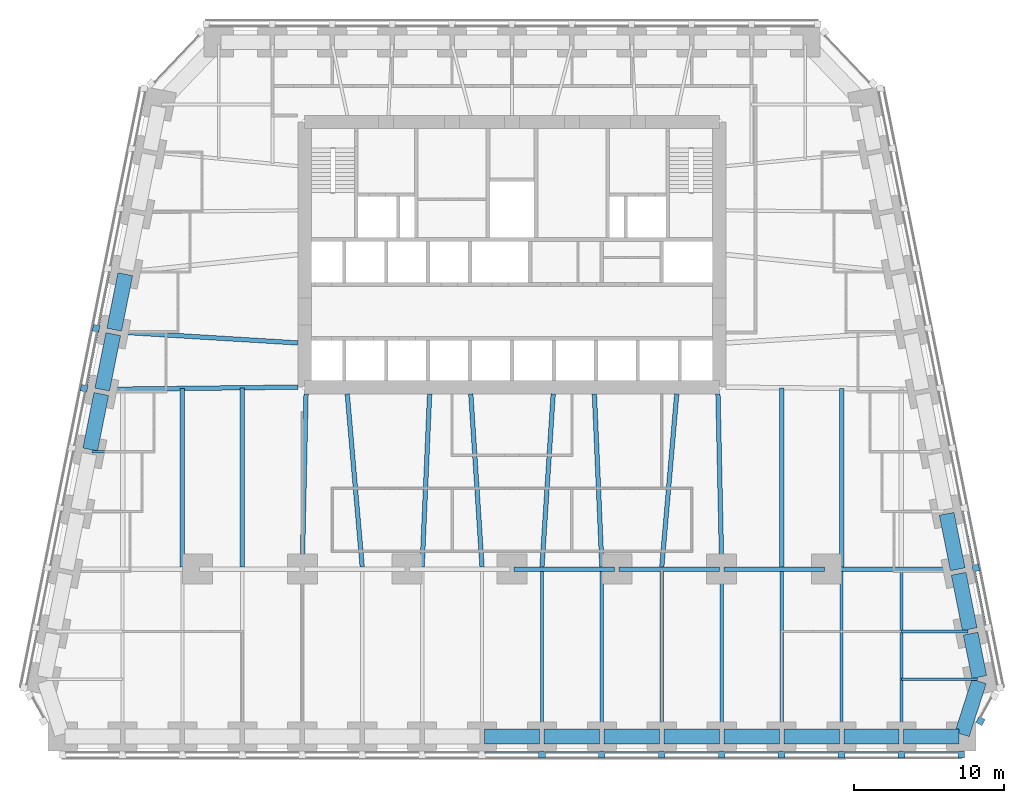
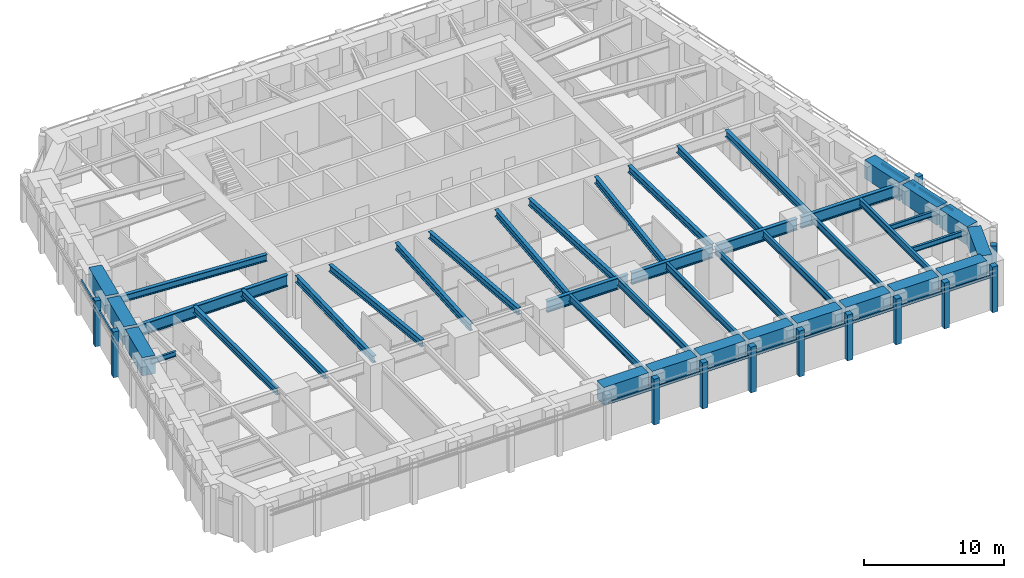
# One storey, part 2 of 10: 43 beams, 24 members, 4 elements without a shape of their own.
"""IFC4 building model written with IfcOpenShell, lengths in metres."""

from ifc_helpers import new_model, si_unit, direction, frame, origin, origin_2d, place, context, subcontext, project, spatial, rectangle, i_section, extrude, material, material_profile, profile_set, type_object, element, aggregate, save


model = new_model("IFC4")

# Units and contexts
model_context = context("Model", 3, precision=1e-05, world=origin(), true_north=direction((0.0, 1.0)))
body_context = subcontext(model_context, "Body", "Model", "MODEL_VIEW")
ifc_project = project(units=[si_unit("LENGTHUNIT", "METRE"), si_unit("AREAUNIT", "SQUARE_METRE"), si_unit("VOLUMEUNIT", "CUBIC_METRE"), si_unit("PLANEANGLEUNIT", "RADIAN"), si_unit("MASSUNIT", "GRAM", prefix="KILO")], contexts=[model_context])

# Site, building, storey
site_placement = place(None, origin())
site = spatial("IfcSite", under=ifc_project, at=site_placement, CompositionType="ELEMENT")
building_placement = place(site_placement, origin())
building = spatial("IfcBuilding", under=site, at=building_placement, Name="Isbrekke Arena Tower", CompositionType="ELEMENT")
storey_placement = place(building_placement, frame((0.0, 0.0, 84.0)))
storey = spatial("IfcBuildingStorey", under=building, at=storey_placement, Name="L18", CompositionType="ELEMENT", Elevation=84.0)

# Beams
ifc_material_1 = material(Name="Steel S355", Category="steel")
ifc_material_profile_1 = material_profile(ifc_material_1, i_section(OverallWidth=0.219970703125, OverallDepth=0.60009765625, WebThickness=0.011962890625, FlangeThickness=0.01904296875, FilletRadius=0.02392578125, at=origin_2d()), Name="IPE 600")
ifc_profile_set_1 = profile_set([ifc_material_profile_1], Name="Steel S355")
beam_type_1 = type_object("IfcBeamType", Name="B1 IPE 600", PredefinedType="BEAM", material=ifc_profile_set_1)
for number, where, z_axis, x_axis, name in (
    (1, (2.0, -17.02490234375, 3.550048828125), (0.0, 1.0, 0.0), (-1.0, 0.0, 0.0), "B1 beam S-S09 L18"),
    (2, (6.0, -17.02490234375, 3.550048828125), (0.0, 1.0, 0.0), (-1.0, 0.0, 0.0), "B1 beam S-S10 L18"),
    (3, (10.0, -17.02490234375, 3.550048828125), (0.0, 1.0, 0.0), (-1.0, 0.0, 0.0), "B1 beam S-S11 L18"),
):
    element("IfcBeam", number, at=place(storey_placement, frame(where, z_axis=z_axis, x_axis=x_axis)), inside=storey, type_object=beam_type_1, Name=name, PredefinedType="BEAM", context=body_context, shape_type="SweptSolid", body=[
        extrude(i_section(OverallWidth=0.219970703125, OverallDepth=0.60009765625, WebThickness=0.011962890625, FlangeThickness=0.01904296875, FilletRadius=0.02392578125, at=origin_2d()), origin(), (0.0, 0.0, 1.0), 10.8740234375),
    ])
beam_1_placement = place(storey_placement, frame((14.0, -17.02490234375, 3.550048828125), z_axis=(0.0, 1.0, 0.0), x_axis=(-1.0, 0.0, 0.0)))
element("IfcBeam", 4, at=beam_1_placement, inside=storey, type_object=beam_type_1, Name="B1 beam S-S12 L18", PredefinedType="BEAM", context=body_context, shape_type="SweptSolid", body=[
    extrude(i_section(OverallWidth=0.219970703125, OverallDepth=0.60009765625, WebThickness=0.011962890625, FlangeThickness=0.01904296875, FilletRadius=0.02392578125, at=origin_2d()), origin(), (0.0, 0.0, 1.0), 10.875),
])
for number, where, z_axis, x_axis, name in (
    (5, (18.0, -17.02490234375, 3.550048828125), (0.0, 1.0, 0.0), (-1.0, 0.0, 0.0), "B1 beam S-S13 L18"),
    (6, (22.0, -17.02490234375, 3.550048828125), (0.0, 1.0, 0.0), (-1.0, 0.0, 0.0), "B1 beam S-S14 L18"),
    (7, (26.0, -17.02490234375, 3.550048828125), (0.0, 1.0, 0.0), (-1.0, 0.0, 0.0), "B1 beam S-S15 L18"),
):
    element("IfcBeam", number, at=place(storey_placement, frame(where, z_axis=z_axis, x_axis=x_axis)), inside=storey, type_object=beam_type_1, Name=name, PredefinedType="BEAM", context=body_context, shape_type="SweptSolid", body=[
        extrude(i_section(OverallWidth=0.219970703125, OverallDepth=0.60009765625, WebThickness=0.011962890625, FlangeThickness=0.01904296875, FilletRadius=0.02392578125, at=origin_2d()), origin(), (0.0, 0.0, 1.0), 10.8740234375),
    ])
ifc_material_2 = material(Name="Steel S355", Category="steel")
ifc_material_profile_2 = material_profile(ifc_material_2, i_section(OverallWidth=0.18994140625, OverallDepth=0.449951171875, WebThickness=0.009521484375, FlangeThickness=0.0146484375, FilletRadius=0.02099609375, at=origin_2d()), Name="IPE 450")
ifc_profile_set_2 = profile_set([ifc_material_profile_2], Name="Steel S355")
beam_type_2 = type_object("IfcBeamType", Name="B2 IPE 450", PredefinedType="BEAM", material=ifc_profile_set_2)
beam_2_placement = place(storey_placement, frame((31.079345703125, -13.352783203125, 3.625), z_axis=(-1.0, 0.0, 0.0), x_axis=(0.0, -1.0, 0.0)))
element("IfcBeam", 8, at=beam_2_placement, inside=storey, type_object=beam_type_2, Name="B2 beam E-E01 L18", PredefinedType="BEAM", context=body_context, shape_type="SweptSolid", body=[
    extrude(i_section(OverallWidth=0.18994140625, OverallDepth=0.449951171875, WebThickness=0.009521484375, FlangeThickness=0.0146484375, FilletRadius=0.02099609375, at=origin_2d()), origin(), (0.0, 0.0, 1.0), 5.079345703125),
])
beam_3_placement = place(storey_placement, frame((30.44091796875, -10.161865234375, 3.625), z_axis=(-1.0, 0.0, 0.0), x_axis=(0.0, -1.0, 0.0)))
element("IfcBeam", 9, at=beam_3_placement, inside=storey, type_object=beam_type_2, Name="B2 beam E-E02 L18", PredefinedType="BEAM", context=body_context, shape_type="SweptSolid", body=[
    extrude(i_section(OverallWidth=0.18994140625, OverallDepth=0.449951171875, WebThickness=0.009521484375, FlangeThickness=0.0146484375, FilletRadius=0.02099609375, at=origin_2d()), origin(), (0.0, 0.0, 1.0), 4.44091796875),
])
beam_4_placement = place(storey_placement, frame((-28.041015625, 1.838134765625, 3.625), z_axis=(1.0, 0.0, 0.0), x_axis=(0.0, 1.0, 0.0)))
element("IfcBeam", 10, at=beam_4_placement, inside=storey, type_object=beam_type_2, Name="B2 beam E-W07 L18", PredefinedType="BEAM", context=body_context, shape_type="SweptSolid", body=[
    extrude(i_section(OverallWidth=0.18994140625, OverallDepth=0.449951171875, WebThickness=0.009521484375, FlangeThickness=0.0146484375, FilletRadius=0.02099609375, at=origin_2d()), origin(), (0.0, 0.0, 1.0), 2.041015625),
])
ifc_material_3 = material(Name="Steel S355", Category="steel")
ifc_material_profile_3 = material_profile(ifc_material_3, i_section(OverallWidth=0.300048828125, OverallDepth=0.60009765625, WebThickness=0.015380859375, FlangeThickness=0.030029296875, FilletRadius=0.027099609375, at=origin_2d()), Name="HEB 600")
ifc_profile_set_3 = profile_set([ifc_material_profile_3], Name="Steel S355")
beam_type_3 = type_object("IfcBeamType", Name="B7 HEB 600", PredefinedType="BEAM", material=ifc_profile_set_3)
beam_5_placement = place(storey_placement, frame((-22.0, -5.84912109375, 3.550048828125), z_axis=(0.0, 1.0, 0.0), x_axis=(-1.0, 0.0, 0.0)))
element("IfcBeam", 11, at=beam_5_placement, inside=storey, type_object=beam_type_3, Name="B7 beam C-M02 L18", PredefinedType="BEAM", context=body_context, shape_type="SweptSolid", body=[
    extrude(i_section(OverallWidth=0.300048828125, OverallDepth=0.60009765625, WebThickness=0.015380859375, FlangeThickness=0.030029296875, FilletRadius=0.027099609375, at=origin_2d()), origin(), (0.0, 0.0, 1.0), 11.910888671875),
])
beam_6_placement = place(storey_placement, frame((-18.0, -5.84912109375, 3.550048828125), z_axis=(0.0, 1.0, 0.0), x_axis=(-1.0, 0.0, 0.0)))
element("IfcBeam", 12, at=beam_6_placement, inside=storey, type_object=beam_type_3, Name="B7 beam C-M03 L18", PredefinedType="BEAM", context=body_context, shape_type="SweptSolid", body=[
    extrude(i_section(OverallWidth=0.300048828125, OverallDepth=0.60009765625, WebThickness=0.015380859375, FlangeThickness=0.030029296875, FilletRadius=0.027099609375, at=origin_2d()), origin(), (0.0, 0.0, 1.0), 11.956787109375),
])
beam_7_placement = place(storey_placement, frame((-14.0, -5.8466796875, 3.550048828125), z_axis=(0.021646264273, 0.999765692171, 0.0), x_axis=(-0.999765692171, 0.021646264273, 0.0)))
element("IfcBeam", 13, at=beam_7_placement, inside=storey, type_object=beam_type_3, Name="B7 beam C-M04 L18", PredefinedType="BEAM", context=body_context, shape_type="SweptSolid", body=[
    extrude(i_section(OverallWidth=0.300048828125, OverallDepth=0.60009765625, WebThickness=0.015380859375, FlangeThickness=0.030029296875, FilletRadius=0.027099609375, at=origin_2d()), origin(), (0.0, 0.0, 1.0), 11.54931640625),
])
beam_8_placement = place(storey_placement, frame((-10.001220703125, -5.836181640625, 3.550048828125), z_axis=(-0.086255671377, 0.996273034442, 0.0), x_axis=(-0.996273034442, -0.086255671377, 0.0)))
element("IfcBeam", 14, at=beam_8_placement, inside=storey, type_object=beam_type_3, Name="B7 beam C-M05 L18", PredefinedType="BEAM", context=body_context, shape_type="SweptSolid", body=[
    extrude(i_section(OverallWidth=0.300048828125, OverallDepth=0.60009765625, WebThickness=0.015380859375, FlangeThickness=0.030029296875, FilletRadius=0.027099609375, at=origin_2d()), origin(), (0.0, 0.0, 1.0), 11.579345703125),
])
beam_9_placement = place(storey_placement, frame((-5.999755859375, -5.842529296875, 3.550048828125), z_axis=(0.04325656756, 0.99906399663, 0.0), x_axis=(-0.99906399663, 0.04325656756, 0.0)))
element("IfcBeam", 15, at=beam_9_placement, inside=storey, type_object=beam_type_3, Name="B7 beam C-M06 L18", PredefinedType="BEAM", context=body_context, shape_type="SweptSolid", body=[
    extrude(i_section(OverallWidth=0.300048828125, OverallDepth=0.60009765625, WebThickness=0.015380859375, FlangeThickness=0.030029296875, FilletRadius=0.027099609375, at=origin_2d()), origin(), (0.0, 0.0, 1.0), 11.55322265625),
])
for number, where, z_axis, x_axis, name in (
    (16, (-2.000732421875, -5.83935546875, 3.550048828125), (-0.064795318476, 0.997898575359, 0.0), (-0.997898575359, -0.064795318476, 0.0), "B7 beam C-M07 L18"),
    (17, (2.000732421875, -5.83935546875, 3.550048828125), (0.064795318476, 0.997898575359, 0.0), (-0.997898575359, 0.064795318476, 0.0), "B7 beam C-M08 L18"),
):
    element("IfcBeam", number, at=place(storey_placement, frame(where, z_axis=z_axis, x_axis=x_axis)), inside=storey, type_object=beam_type_3, Name=name, PredefinedType="BEAM", context=body_context, shape_type="SweptSolid", body=[
        extrude(i_section(OverallWidth=0.300048828125, OverallDepth=0.60009765625, WebThickness=0.015380859375, FlangeThickness=0.030029296875, FilletRadius=0.027099609375, at=origin_2d()), origin(), (0.0, 0.0, 1.0), 11.563720703125),
    ])
beam_10_placement = place(storey_placement, frame((5.999755859375, -5.842529296875, 3.550048828125), z_axis=(-0.04325656756, 0.99906399663, 0.0), x_axis=(-0.99906399663, -0.04325656756, 0.0)))
element("IfcBeam", 18, at=beam_10_placement, inside=storey, type_object=beam_type_3, Name="B7 beam C-M09 L18", PredefinedType="BEAM", context=body_context, shape_type="SweptSolid", body=[
    extrude(i_section(OverallWidth=0.300048828125, OverallDepth=0.60009765625, WebThickness=0.015380859375, FlangeThickness=0.030029296875, FilletRadius=0.027099609375, at=origin_2d()), origin(), (0.0, 0.0, 1.0), 11.55322265625),
])
beam_11_placement = place(storey_placement, frame((10.001220703125, -5.836181640625, 3.550048828125), z_axis=(0.086255671377, 0.996273034442, 0.0), x_axis=(-0.996273034442, 0.086255671377, 0.0)))
element("IfcBeam", 19, at=beam_11_placement, inside=storey, type_object=beam_type_3, Name="B7 beam C-M10 L18", PredefinedType="BEAM", context=body_context, shape_type="SweptSolid", body=[
    extrude(i_section(OverallWidth=0.300048828125, OverallDepth=0.60009765625, WebThickness=0.015380859375, FlangeThickness=0.030029296875, FilletRadius=0.027099609375, at=origin_2d()), origin(), (0.0, 0.0, 1.0), 11.579345703125),
])
beam_12_placement = place(storey_placement, frame((14.0, -5.8466796875, 3.550048828125), z_axis=(-0.021646264273, 0.999765692171, 0.0), x_axis=(-0.999765692171, -0.021646264273, 0.0)))
element("IfcBeam", 20, at=beam_12_placement, inside=storey, type_object=beam_type_3, Name="B7 beam C-M11 L18", PredefinedType="BEAM", context=body_context, shape_type="SweptSolid", body=[
    extrude(i_section(OverallWidth=0.300048828125, OverallDepth=0.60009765625, WebThickness=0.015380859375, FlangeThickness=0.030029296875, FilletRadius=0.027099609375, at=origin_2d()), origin(), (0.0, 0.0, 1.0), 11.54931640625),
])
beam_13_placement = place(storey_placement, frame((18.0, -5.84912109375, 3.550048828125), z_axis=(0.0, 1.0, 0.0), x_axis=(-1.0, 0.0, 0.0)))
element("IfcBeam", 21, at=beam_13_placement, inside=storey, type_object=beam_type_3, Name="B7 beam C-M12 L18", PredefinedType="BEAM", context=body_context, shape_type="SweptSolid", body=[
    extrude(i_section(OverallWidth=0.300048828125, OverallDepth=0.60009765625, WebThickness=0.015380859375, FlangeThickness=0.030029296875, FilletRadius=0.027099609375, at=origin_2d()), origin(), (0.0, 0.0, 1.0), 11.956787109375),
])
beam_14_placement = place(storey_placement, frame((22.0, -5.84912109375, 3.550048828125), z_axis=(0.0, 1.0, 0.0), x_axis=(-1.0, 0.0, 0.0)))
element("IfcBeam", 22, at=beam_14_placement, inside=storey, type_object=beam_type_3, Name="B7 beam C-M13 L18", PredefinedType="BEAM", context=body_context, shape_type="SweptSolid", body=[
    extrude(i_section(OverallWidth=0.300048828125, OverallDepth=0.60009765625, WebThickness=0.015380859375, FlangeThickness=0.030029296875, FilletRadius=0.027099609375, at=origin_2d()), origin(), (0.0, 0.0, 1.0), 11.910888671875),
])
beam_15_placement = place(storey_placement, frame((-26.431884765625, 9.837646484375, 3.550048828125), z_axis=(0.998157121592, -0.060682457223, 0.0), x_axis=(0.060682457223, 0.998157121592, 0.0)))
element("IfcBeam", 23, at=beam_15_placement, inside=storey, type_object=beam_type_3, Name="B7 beam E-W05 L18", PredefinedType="BEAM", context=body_context, shape_type="SweptSolid", body=[
    extrude(i_section(OverallWidth=0.300048828125, OverallDepth=0.60009765625, WebThickness=0.015380859375, FlangeThickness=0.030029296875, FilletRadius=0.027099609375, at=origin_2d()), origin(), (0.0, 0.0, 1.0), 12.154296875),
])

# Curtain wall, members
ifc_material_4 = material(Name="Glazed aluminium curtain wall", Category="aluminium")
curtain_wall_type = type_object("IfcCurtainWallType", Name="CWL TOWER CURTAIN WALL LOW ZONE", PredefinedType="USERDEFINED", material=ifc_material_4)
curtain_wall_1_placement = place(storey_placement, origin())
curtain_wall_1 = element("IfcCurtainWall", 24, at=curtain_wall_1_placement, inside=storey, type_object=curtain_wall_type, Name="CWL curtain wall L18-S", ObjectType="TOWER CURTAIN WALL LOW ZONE", PredefinedType="USERDEFINED")
ifc_material_5 = material(Name="Aluminium mullion, pale brick slip cladding", Category="masonry")
ifc_material_profile_4 = material_profile(ifc_material_5, rectangle(XDim=0.449951171875, YDim=0.449951171875, at=origin_2d()), Name="PIER 450X450")
ifc_profile_set_4 = profile_set([ifc_material_profile_4], Name="Aluminium mullion, pale brick slip cladding")
member_type_1 = type_object("IfcMemberType", Name="CWL-M PIER MULLION 450 x 450", PredefinedType="MULLION", material=ifc_profile_set_4)
member_1_placement = place(storey_placement, frame((2.0, -18.375, 0.0), z_axis=(0.0, 0.0, 1.0), x_axis=(1.0, 0.0, 0.0)))
member_1 = element("IfcMember", 25, at=member_1_placement, type_object=member_type_1, Name="CWL-M mullion 9", PredefinedType="MULLION", context=body_context, shape_type="SweptSolid", body=[
    extrude(rectangle(XDim=0.449951171875, YDim=0.449951171875, at=origin_2d()), origin(), (0.0, 0.0, 1.0), 4.0),
])
member_2_placement = place(storey_placement, frame((6.0, -18.375, 0.0), z_axis=(0.0, 0.0, 1.0), x_axis=(1.0, 0.0, 0.0)))
member_2 = element("IfcMember", 26, at=member_2_placement, type_object=member_type_1, Name="CWL-M mullion 10", PredefinedType="MULLION", context=body_context, shape_type="SweptSolid", body=[
    extrude(rectangle(XDim=0.449951171875, YDim=0.449951171875, at=origin_2d()), origin(), (0.0, 0.0, 1.0), 4.0),
])
member_3_placement = place(storey_placement, frame((10.0, -18.375, 0.0), z_axis=(0.0, 0.0, 1.0), x_axis=(1.0, 0.0, 0.0)))
member_3 = element("IfcMember", 27, at=member_3_placement, type_object=member_type_1, Name="CWL-M mullion 11", PredefinedType="MULLION", context=body_context, shape_type="SweptSolid", body=[
    extrude(rectangle(XDim=0.449951171875, YDim=0.449951171875, at=origin_2d()), origin(), (0.0, 0.0, 1.0), 4.0),
])
member_4_placement = place(storey_placement, frame((14.0, -18.375, 0.0), z_axis=(0.0, 0.0, 1.0), x_axis=(1.0, 0.0, 0.0)))
member_4 = element("IfcMember", 28, at=member_4_placement, type_object=member_type_1, Name="CWL-M mullion 12", PredefinedType="MULLION", context=body_context, shape_type="SweptSolid", body=[
    extrude(rectangle(XDim=0.449951171875, YDim=0.449951171875, at=origin_2d()), origin(), (0.0, 0.0, 1.0), 4.0),
])
member_5_placement = place(storey_placement, frame((18.0, -18.375, 0.0), z_axis=(0.0, 0.0, 1.0), x_axis=(1.0, 0.0, 0.0)))
member_5 = element("IfcMember", 29, at=member_5_placement, type_object=member_type_1, Name="CWL-M mullion 13", PredefinedType="MULLION", context=body_context, shape_type="SweptSolid", body=[
    extrude(rectangle(XDim=0.449951171875, YDim=0.449951171875, at=origin_2d()), origin(), (0.0, 0.0, 1.0), 4.0),
])
member_6_placement = place(storey_placement, frame((22.0, -18.375, 0.0), z_axis=(0.0, 0.0, 1.0), x_axis=(1.0, 0.0, 0.0)))
member_6 = element("IfcMember", 30, at=member_6_placement, type_object=member_type_1, Name="CWL-M mullion 14", PredefinedType="MULLION", context=body_context, shape_type="SweptSolid", body=[
    extrude(rectangle(XDim=0.449951171875, YDim=0.449951171875, at=origin_2d()), origin(), (0.0, 0.0, 1.0), 4.0),
])
member_7_placement = place(storey_placement, frame((26.0, -18.375, 0.0), z_axis=(0.0, 0.0, 1.0), x_axis=(1.0, 0.0, 0.0)))
member_7 = element("IfcMember", 31, at=member_7_placement, type_object=member_type_1, Name="CWL-M mullion 15", PredefinedType="MULLION", context=body_context, shape_type="SweptSolid", body=[
    extrude(rectangle(XDim=0.449951171875, YDim=0.449951171875, at=origin_2d()), origin(), (0.0, 0.0, 1.0), 4.0),
])
member_8_placement = place(storey_placement, frame((30.0, -18.375, 0.0), z_axis=(0.0, 0.0, 1.0), x_axis=(1.0, 0.0, 0.0)))
member_8 = element("IfcMember", 32, at=member_8_placement, type_object=member_type_1, Name="CWL-M mullion 16", PredefinedType="MULLION", context=body_context, shape_type="SweptSolid", body=[
    extrude(rectangle(XDim=0.449951171875, YDim=0.449951171875, at=origin_2d()), origin(), (0.0, 0.0, 1.0), 4.0),
])

# Curtain wall, member
curtain_wall_2_placement = place(storey_placement, origin())
curtain_wall_2 = element("IfcCurtainWall", 33, at=curtain_wall_2_placement, inside=storey, type_object=curtain_wall_type, Name="CWL curtain wall L18-SE", ObjectType="TOWER CURTAIN WALL LOW ZONE", PredefinedType="USERDEFINED")
member_9_placement = place(storey_placement, frame((31.2783203125, -16.142822265625, 0.0), z_axis=(0.0, 0.0, 1.0), x_axis=(0.481918749773, 0.876215908676, 0.0)))
member_9 = element("IfcMember", 34, at=member_9_placement, type_object=member_type_1, Name="CWL-M mullion 1", PredefinedType="MULLION", context=body_context, shape_type="SweptSolid", body=[
    extrude(rectangle(XDim=0.449951171875, YDim=0.449951171875, at=origin_2d()), origin(), (0.0, 0.0, 1.0), 4.0),
])
aggregate(curtain_wall_2, [member_9])

curtain_wall_3_placement = place(storey_placement, origin())
curtain_wall_3 = element("IfcCurtainWall", 35, at=curtain_wall_3_placement, inside=storey, type_object=curtain_wall_type, Name="CWL curtain wall L18-E", ObjectType="TOWER CURTAIN WALL LOW ZONE", PredefinedType="USERDEFINED")
member_10_placement = place(storey_placement, frame((30.9677734375, -5.926513671875, 0.0), z_axis=(0.0, 0.0, 1.0), x_axis=(-0.196116135138, 0.980580675691, 0.0)))
member_10 = element("IfcMember", 36, at=member_10_placement, type_object=member_type_1, Name="CWL-M mullion 3", PredefinedType="MULLION", context=body_context, shape_type="SweptSolid", body=[
    extrude(rectangle(XDim=0.449951171875, YDim=0.449951171875, at=origin_2d()), origin(), (0.0, 0.0, 1.0), 4.0),
])

# Curtain wall, members
curtain_wall_4_placement = place(storey_placement, origin())
curtain_wall_4 = element("IfcCurtainWall", 37, at=curtain_wall_4_placement, inside=storey, type_object=curtain_wall_type, Name="CWL curtain wall L18-W", ObjectType="TOWER CURTAIN WALL LOW ZONE", PredefinedType="USERDEFINED")
member_11_placement = place(storey_placement, frame((-27.767822265625, 10.073486328125, 0.0), z_axis=(0.0, 0.0, 1.0), x_axis=(-0.196116135138, -0.980580675691, 0.0)))
member_11 = element("IfcMember", 38, at=member_11_placement, type_object=member_type_1, Name="CWL-M mullion 5", PredefinedType="MULLION", context=body_context, shape_type="SweptSolid", body=[
    extrude(rectangle(XDim=0.449951171875, YDim=0.449951171875, at=origin_2d()), origin(), (0.0, 0.0, 1.0), 4.0),
])
member_12_placement = place(storey_placement, frame((-28.567626953125, 6.073486328125, 0.0), z_axis=(0.0, 0.0, 1.0), x_axis=(-0.196116135138, -0.980580675691, 0.0)))
member_12 = element("IfcMember", 39, at=member_12_placement, type_object=member_type_1, Name="CWL-M mullion 6", PredefinedType="MULLION", context=body_context, shape_type="SweptSolid", body=[
    extrude(rectangle(XDim=0.449951171875, YDim=0.449951171875, at=origin_2d()), origin(), (0.0, 0.0, 1.0), 4.0),
])

# Member
ifc_material_6 = material(Name="Aluminium transom", Category="aluminium")
ifc_material_profile_5 = material_profile(ifc_material_6, rectangle(XDim=0.1201171875, YDim=0.199951171875, at=origin_2d()), Name="TRANSOM 120X200")
ifc_profile_set_5 = profile_set([ifc_material_profile_5], Name="Aluminium transom")
member_type_2 = type_object("IfcMemberType", Name="CWL-T TRANSOM 120 x 200", PredefinedType="USERDEFINED", material=ifc_profile_set_5)
member_13_placement = place(storey_placement, frame((-1.77490234375, -18.25, 3.0), z_axis=(1.0, 0.0, 0.0), x_axis=(0.0, 1.0, 0.0)))
member_13 = element("IfcMember", 40, at=member_13_placement, type_object=member_type_2, Name="CWL-T transom 8", ObjectType="TRANSOM", PredefinedType="USERDEFINED", context=body_context, shape_type="SweptSolid", body=[
    extrude(rectangle(XDim=0.1201171875, YDim=0.199951171875, at=origin_2d()), origin(), (0.0, 0.0, 1.0), 3.5498046875),
])

member_14_placement = place(storey_placement, frame((2.22509765625, -18.25, 3.0), z_axis=(1.0, 0.0, 0.0), x_axis=(0.0, 1.0, 0.0)))
member_14 = element("IfcMember", 41, at=member_14_placement, type_object=member_type_2, Name="CWL-T transom 9", ObjectType="TRANSOM", PredefinedType="USERDEFINED", context=body_context, shape_type="SweptSolid", body=[
    extrude(rectangle(XDim=0.1201171875, YDim=0.199951171875, at=origin_2d()), origin(), (0.0, 0.0, 1.0), 3.5498046875),
])

member_15_placement = place(storey_placement, frame((6.22509765625, -18.25, 3.0), z_axis=(1.0, 0.0, 0.0), x_axis=(0.0, 1.0, 0.0)))
member_15 = element("IfcMember", 42, at=member_15_placement, type_object=member_type_2, Name="CWL-T transom 10", ObjectType="TRANSOM", PredefinedType="USERDEFINED", context=body_context, shape_type="SweptSolid", body=[
    extrude(rectangle(XDim=0.1201171875, YDim=0.199951171875, at=origin_2d()), origin(), (0.0, 0.0, 1.0), 3.5498046875),
])

member_16_placement = place(storey_placement, frame((10.22509765625, -18.25, 3.0), z_axis=(1.0, 0.0, 0.0), x_axis=(0.0, 1.0, 0.0)))
member_16 = element("IfcMember", 43, at=member_16_placement, type_object=member_type_2, Name="CWL-T transom 11", ObjectType="TRANSOM", PredefinedType="USERDEFINED", context=body_context, shape_type="SweptSolid", body=[
    extrude(rectangle(XDim=0.1201171875, YDim=0.199951171875, at=origin_2d()), origin(), (0.0, 0.0, 1.0), 3.5498046875),
])

member_17_placement = place(storey_placement, frame((14.22509765625, -18.25, 3.0), z_axis=(1.0, 0.0, 0.0), x_axis=(0.0, 1.0, 0.0)))
member_17 = element("IfcMember", 44, at=member_17_placement, type_object=member_type_2, Name="CWL-T transom 12", ObjectType="TRANSOM", PredefinedType="USERDEFINED", context=body_context, shape_type="SweptSolid", body=[
    extrude(rectangle(XDim=0.1201171875, YDim=0.199951171875, at=origin_2d()), origin(), (0.0, 0.0, 1.0), 3.5498046875),
])

member_18_placement = place(storey_placement, frame((18.22509765625, -18.25, 3.0), z_axis=(1.0, 0.0, 0.0), x_axis=(0.0, 1.0, 0.0)))
member_18 = element("IfcMember", 45, at=member_18_placement, type_object=member_type_2, Name="CWL-T transom 13", ObjectType="TRANSOM", PredefinedType="USERDEFINED", context=body_context, shape_type="SweptSolid", body=[
    extrude(rectangle(XDim=0.1201171875, YDim=0.199951171875, at=origin_2d()), origin(), (0.0, 0.0, 1.0), 3.5498046875),
])

member_19_placement = place(storey_placement, frame((22.22509765625, -18.25, 3.0), z_axis=(1.0, 0.0, 0.0), x_axis=(0.0, 1.0, 0.0)))
member_19 = element("IfcMember", 46, at=member_19_placement, type_object=member_type_2, Name="CWL-T transom 14", ObjectType="TRANSOM", PredefinedType="USERDEFINED", context=body_context, shape_type="SweptSolid", body=[
    extrude(rectangle(XDim=0.1201171875, YDim=0.199951171875, at=origin_2d()), origin(), (0.0, 0.0, 1.0), 3.5498046875),
])

member_20_placement = place(storey_placement, frame((26.22509765625, -18.25, 3.0), z_axis=(1.0, 0.0, 0.0), x_axis=(0.0, 1.0, 0.0)))
member_20 = element("IfcMember", 47, at=member_20_placement, type_object=member_type_2, Name="CWL-T transom 15", ObjectType="TRANSOM", PredefinedType="USERDEFINED", context=body_context, shape_type="SweptSolid", body=[
    extrude(rectangle(XDim=0.1201171875, YDim=0.199951171875, at=origin_2d()), origin(), (0.0, 0.0, 1.0), 3.5498046875),
])

aggregate(curtain_wall_1, [member_1, member_2, member_3, member_4, member_5, member_6, member_7, member_8, member_13, member_14, member_15, member_16, member_17, member_18, member_19, member_20])

member_21_placement = place(storey_placement, frame((31.60107421875, -9.730224609375, 3.0), z_axis=(-0.196167883278, 0.980570324643, 0.0), x_axis=(-0.980570324643, -0.196167883278, 0.0)))
member_21 = element("IfcMember", 48, at=member_21_placement, type_object=member_type_2, Name="CWL-T transom 2", ObjectType="TRANSOM", PredefinedType="USERDEFINED", context=body_context, shape_type="SweptSolid", body=[
    extrude(rectangle(XDim=0.1201171875, YDim=0.199951171875, at=origin_2d()), origin(), (0.0, 0.0, 1.0), 3.629150390625),
])

member_22_placement = place(storey_placement, frame((30.801025390625, -5.730224609375, 3.0), z_axis=(-0.196103197847, 0.98058326306, 0.0), x_axis=(-0.98058326306, -0.196103197847, 0.0)))
member_22 = element("IfcMember", 49, at=member_22_placement, type_object=member_type_2, Name="CWL-T transom 3", ObjectType="TRANSOM", PredefinedType="USERDEFINED", context=body_context, shape_type="SweptSolid", body=[
    extrude(rectangle(XDim=0.1201171875, YDim=0.199951171875, at=origin_2d()), origin(), (0.0, 0.0, 1.0), 3.629150390625),
])

aggregate(curtain_wall_3, [member_10, member_21, member_22])

member_23_placement = place(storey_placement, frame((-26.88916015625, 13.828369140625, 3.0), z_axis=(-0.196167883278, -0.980570324643, 0.0), x_axis=(0.980570324643, -0.196167883278, 0.0)))
member_23 = element("IfcMember", 50, at=member_23_placement, type_object=member_type_2, Name="CWL-T transom 4", ObjectType="TRANSOM", PredefinedType="USERDEFINED", context=body_context, shape_type="SweptSolid", body=[
    extrude(rectangle(XDim=0.1201171875, YDim=0.199951171875, at=origin_2d()), origin(), (0.0, 0.0, 1.0), 3.629150390625),
])

member_24_placement = place(storey_placement, frame((-27.689208984375, 9.828369140625, 3.0), z_axis=(-0.196167883278, -0.980570324643, 0.0), x_axis=(0.980570324643, -0.196167883278, 0.0)))
member_24 = element("IfcMember", 51, at=member_24_placement, type_object=member_type_2, Name="CWL-T transom 5", ObjectType="TRANSOM", PredefinedType="USERDEFINED", context=body_context, shape_type="SweptSolid", body=[
    extrude(rectangle(XDim=0.1201171875, YDim=0.199951171875, at=origin_2d()), origin(), (0.0, 0.0, 1.0), 3.629150390625),
])

aggregate(curtain_wall_4, [member_11, member_12, member_23, member_24])

# Beams
ifc_material_7 = material(Name="Steel S355", Category="steel")
ifc_material_profile_6 = material_profile(ifc_material_7, i_section(OverallWidth=0.302001953125, OverallDepth=1.008056640625, WebThickness=0.02099609375, FlangeThickness=0.0400390625, FilletRadius=0.030029296875, at=origin_2d()), Name="HEM 1000")
ifc_profile_set_6 = profile_set([ifc_material_profile_6], Name="Steel S355")
beam_type_4 = type_object("IfcBeamType", Name="G1 HEM 1000", PredefinedType="BEAM", material=ifc_profile_set_6)
for number, where, z_axis, x_axis, name in (
    (52, (0.14990234375, -6.0, 3.345947265625), (1.0, 0.0, 0.0), (0.0, 1.0, 0.0), "G1 beam G1-05 L18"),
    (53, (7.14990234375, -6.0, 3.345947265625), (1.0, 0.0, 0.0), (0.0, 1.0, 0.0), "G1 beam G1-06 L18"),
    (54, (14.14990234375, -6.0, 3.345947265625), (1.0, 0.0, 0.0), (0.0, 1.0, 0.0), "G1 beam G1-07 L18"),
):
    element("IfcBeam", number, at=place(storey_placement, frame(where, z_axis=z_axis, x_axis=x_axis)), inside=storey, type_object=beam_type_4, Name=name, PredefinedType="BEAM", context=body_context, shape_type="SweptSolid", body=[
        extrude(i_section(OverallWidth=0.302001953125, OverallDepth=1.008056640625, WebThickness=0.02099609375, FlangeThickness=0.0400390625, FilletRadius=0.030029296875, at=origin_2d()), origin(), (0.0, 0.0, 1.0), 6.7001953125),
    ])
beam_16_placement = place(storey_placement, frame((21.14990234375, -6.0, 3.345947265625), z_axis=(1.0, 0.0, 0.0), x_axis=(0.0, 1.0, 0.0)))
element("IfcBeam", 55, at=beam_16_placement, inside=storey, type_object=beam_type_4, Name="G1 beam G1-08 L18", PredefinedType="BEAM", context=body_context, shape_type="SweptSolid", body=[
    extrude(i_section(OverallWidth=0.302001953125, OverallDepth=1.008056640625, WebThickness=0.02099609375, FlangeThickness=0.0400390625, FilletRadius=0.030029296875, at=origin_2d()), origin(), (0.0, 0.0, 1.0), 8.64111328125),
])
ifc_material_8 = material(Name="Steel S355", Category="steel")
ifc_material_profile_7 = material_profile(ifc_material_8, i_section(OverallWidth=0.302001953125, OverallDepth=1.008056640625, WebThickness=0.02099609375, FlangeThickness=0.0400390625, FilletRadius=0.030029296875, at=origin_2d()), Name="HEM 1000")
ifc_profile_set_7 = profile_set([ifc_material_profile_7], Name="Steel S355")
beam_type_5 = type_object("IfcBeamType", Name="G2 HEM 1000", PredefinedType="BEAM", material=ifc_profile_set_7)
beam_17_placement = place(storey_placement, frame((-14.300048828125, 6.14990234375, 3.345947265625), z_axis=(-0.999934429634, -0.011451481699, 0.0), x_axis=(0.011451481699, -0.999934429634, 0.0)))
element("IfcBeam", 56, at=beam_17_placement, inside=storey, type_object=beam_type_5, Name="G2 beam G2-W L18", PredefinedType="BEAM", context=body_context, shape_type="SweptSolid", body=[
    extrude(i_section(OverallWidth=0.302001953125, OverallDepth=1.008056640625, WebThickness=0.02099609375, FlangeThickness=0.0400390625, FilletRadius=0.030029296875, at=origin_2d()), origin(), (0.0, 0.0, 1.0), 13.09033203125),
])
ifc_material_9 = material(Name="Concrete B90 (C90/105)", Category="concrete")
ifc_material_profile_8 = material_profile(ifc_material_9, rectangle(XDim=1.0, YDim=1.60009765625, at=origin_2d()), Name="RC 1000x1600")
ifc_profile_set_8 = profile_set([ifc_material_profile_8], Name="Concrete B90 (C90/105)")
beam_type_6 = type_object("IfcBeamType", Name="SB1 RC 1000 x 1600", PredefinedType="SPANDREL", material=ifc_profile_set_8)
for number, where, z_axis, x_axis, name in (
    (57, (-1.85009765625, -17.175048828125, 3.199951171875), (1.0, 0.0, 0.0), (0.0, 1.0, 0.0), "SB1 spandrel S08-S09 L18"),
    (58, (2.14990234375, -17.175048828125, 3.199951171875), (1.0, 0.0, 0.0), (0.0, 1.0, 0.0), "SB1 spandrel S09-S10 L18"),
    (59, (6.14990234375, -17.175048828125, 3.199951171875), (1.0, 0.0, 0.0), (0.0, 1.0, 0.0), "SB1 spandrel S10-S11 L18"),
    (60, (10.14990234375, -17.175048828125, 3.199951171875), (1.0, 0.0, 0.0), (0.0, 1.0, 0.0), "SB1 spandrel S11-S12 L18"),
    (61, (14.14990234375, -17.175048828125, 3.199951171875), (1.0, 0.0, 0.0), (0.0, 1.0, 0.0), "SB1 spandrel S12-S13 L18"),
    (62, (18.14990234375, -17.175048828125, 3.199951171875), (1.0, 0.0, 0.0), (0.0, 1.0, 0.0), "SB1 spandrel S13-S14 L18"),
    (63, (22.14990234375, -17.175048828125, 3.199951171875), (1.0, 0.0, 0.0), (0.0, 1.0, 0.0), "SB1 spandrel S14-S15 L18"),
    (64, (26.14990234375, -17.175048828125, 3.199951171875), (1.0, 0.0, 0.0), (0.0, 1.0, 0.0), "SB1 spandrel S15-S16 L18"),
):
    element("IfcBeam", number, at=place(storey_placement, frame(where, z_axis=z_axis, x_axis=x_axis)), inside=storey, type_object=beam_type_6, Name=name, PredefinedType="SPANDREL", context=body_context, shape_type="SweptSolid", body=[
        extrude(rectangle(XDim=1.0, YDim=1.60009765625, at=origin_2d()), origin(), (0.0, 0.0, 1.0), 3.7001953125),
    ])
beam_18_placement = place(storey_placement, frame((30.0458984375, -17.0322265625, 3.199951171875), z_axis=(0.306175101476, 0.951975213562, 0.0), x_axis=(-0.951975213562, 0.306175101476, 0.0)))
element("IfcBeam", 65, at=beam_18_placement, inside=storey, type_object=beam_type_6, Name="SB1 spandrel S16-E01 L18", PredefinedType="SPANDREL", context=body_context, shape_type="SweptSolid", body=[
    extrude(rectangle(XDim=1.0, YDim=1.60009765625, at=origin_2d()), origin(), (0.0, 0.0, 1.0), 3.715087890625),
])
beam_19_placement = place(storey_placement, frame((31.19970703125, -13.205810546875, 3.199951171875), z_axis=(-0.196100243168, 0.980583853951, 0.0), x_axis=(-0.980583853951, -0.196100243168, 0.0)))
element("IfcBeam", 66, at=beam_19_placement, inside=storey, type_object=beam_type_6, Name="SB1 spandrel E01-E02 L18", PredefinedType="SPANDREL", context=body_context, shape_type="SweptSolid", body=[
    extrude(rectangle(XDim=1.0, YDim=1.60009765625, at=origin_2d()), origin(), (0.0, 0.0, 1.0), 2.954345703125),
])
beam_20_placement = place(storey_placement, frame((30.5615234375, -10.0146484375, 3.199951171875), z_axis=(-0.1960664412, 0.980590613169, 0.0), x_axis=(-0.980590613169, -0.1960664412, 0.0)))
element("IfcBeam", 67, at=beam_20_placement, inside=storey, type_object=beam_type_6, Name="SB1 spandrel E02-E03 L18", PredefinedType="SPANDREL", context=body_context, shape_type="SweptSolid", body=[
    extrude(rectangle(XDim=1.0, YDim=1.60009765625, at=origin_2d()), origin(), (0.0, 0.0, 1.0), 3.779052734375),
])
beam_21_placement = place(storey_placement, frame((29.76171875, -6.0146484375, 3.199951171875), z_axis=(-0.196128558387, 0.980578190959, 0.0), x_axis=(-0.980578190959, -0.196128558387, 0.0)))
element("IfcBeam", 68, at=beam_21_placement, inside=storey, type_object=beam_type_6, Name="SB1 spandrel E03-E04 L18", PredefinedType="SPANDREL", context=body_context, shape_type="SweptSolid", body=[
    extrude(rectangle(XDim=1.0, YDim=1.60009765625, at=origin_2d()), origin(), (0.0, 0.0, 1.0), 3.779296875),
])
beam_22_placement = place(storey_placement, frame((-25.820556640625, 13.691162109375, 3.199951171875), z_axis=(-0.1960664412, -0.980590613169, 0.0), x_axis=(0.980590613169, -0.1960664412, 0.0)))
element("IfcBeam", 69, at=beam_22_placement, inside=storey, type_object=beam_type_6, Name="SB1 spandrel W04-W05 L18", PredefinedType="SPANDREL", context=body_context, shape_type="SweptSolid", body=[
    extrude(rectangle(XDim=1.0, YDim=1.60009765625, at=origin_2d()), origin(), (0.0, 0.0, 1.0), 3.779052734375),
])
for number, where, z_axis, x_axis, name in (
    (70, (-26.620361328125, 9.691162109375, 3.199951171875), (-0.196128558387, -0.980578190959, 0.0), (0.980578190959, -0.196128558387, 0.0), "SB1 spandrel W05-W06 L18"),
    (71, (-27.42041015625, 5.691162109375, 3.199951171875), (-0.196128558387, -0.980578190959, 0.0), (0.980578190959, -0.196128558387, 0.0), "SB1 spandrel W06-W07 L18"),
):
    element("IfcBeam", number, at=place(storey_placement, frame(where, z_axis=z_axis, x_axis=x_axis)), inside=storey, type_object=beam_type_6, Name=name, PredefinedType="SPANDREL", context=body_context, shape_type="SweptSolid", body=[
        extrude(rectangle(XDim=1.0, YDim=1.60009765625, at=origin_2d()), origin(), (0.0, 0.0, 1.0), 3.779296875),
    ])

save(model, "model.ifc")
